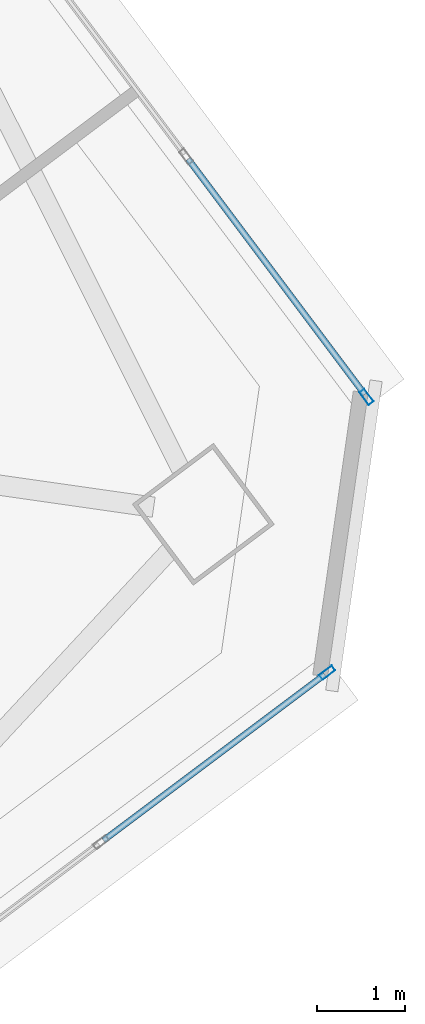
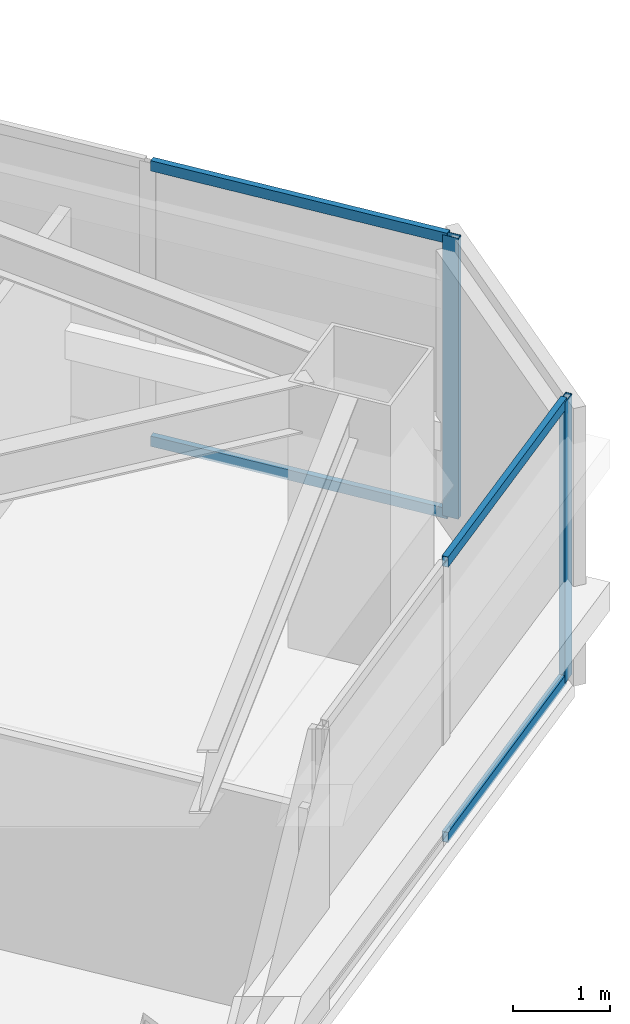
# One storey, part 27 of 43: 6 members, 2 elements without a shape of their own.
"""IFC4 building model written with IfcOpenShell, lengths in metres."""

from ifc_helpers import new_model, si_unit, direction, frame, origin, origin_2d, place, context, subcontext, project, spatial, hollow_rectangle, extrude, material, material_profile, profile_set, type_object, element, aggregate, save


model = new_model("IFC4")

# Units and contexts
model_context = context("Model", 3, precision=1e-05, world=origin(), true_north=direction((0.0, 1.0)))
body_context = subcontext(model_context, "Body", "Model", "MODEL_VIEW")
ifc_project = project(units=[si_unit("LENGTHUNIT", "METRE"), si_unit("AREAUNIT", "SQUARE_METRE"), si_unit("VOLUMEUNIT", "CUBIC_METRE"), si_unit("PLANEANGLEUNIT", "RADIAN"), si_unit("MASSUNIT", "GRAM", prefix="KILO")], contexts=[model_context])

# Site, building, storey
site_placement = place(None, origin())
site = spatial("IfcSite", under=ifc_project, at=site_placement, CompositionType="ELEMENT")
building_placement = place(site_placement, origin())
building = spatial("IfcBuilding", under=site, at=building_placement, Name="Tashvorn Skyway Center", CompositionType="ELEMENT")
storey_placement = place(building_placement, frame((0.0, 0.0, 185.39990234375)))
storey = spatial("IfcBuildingStorey", under=building, at=storey_placement, Name="L50", CompositionType="ELEMENT", Elevation=185.39990234375)

# Curtain wall, member
ifc_material = material(Name="Thermally broken bronze-anodized aluminium 6063-T6", Category="aluminium")
curtain_wall_type = type_object("IfcCurtainWallType", Name="CW-CW-Z4", PredefinedType="NOTDEFINED", material=ifc_material)
curtain_wall_1_placement = place(storey_placement, origin())
curtain_wall_1 = element("IfcCurtainWall", 1, at=curtain_wall_1_placement, inside=storey, type_object=curtain_wall_type, Name="Tower 2 L50 South Unitised Curtain Wall Glazing Group 1", PredefinedType="NOTDEFINED")
ifc_material_profile_1 = material_profile(ifc_material, hollow_rectangle(XDim=0.070068359375, YDim=0.179931640625, WallThickness=0.00390625, at=origin_2d()), Name="ALU-MULL-70x180")
ifc_profile_set_1 = profile_set([ifc_material_profile_1], Name="Thermally broken bronze-anodized aluminium 6063-T6")
member_type_1 = type_object("IfcMemberType", Name="CWM-CW-Z4", PredefinedType="MULLION", material=ifc_profile_set_1)
member_1_placement = place(storey_placement, frame((135.7041015625, 27.302978515625, 0.0), z_axis=(0.0, 0.0, 1.0), x_axis=(0.600000000002, -0.799999999998, 0.0)))
member_1 = element("IfcMember", 2, at=member_1_placement, type_object=member_type_1, Name="CW-Z4 mullion 1", PredefinedType="MULLION", context=body_context, shape_type="SweptSolid", body=[
    extrude(hollow_rectangle(XDim=0.070068359375, YDim=0.179931640625, WallThickness=0.00390625, at=origin_2d()), origin(), (0.0, 0.0, 1.0), 3.550048828125),
])

curtain_wall_2_placement = place(storey_placement, origin())
curtain_wall_2 = element("IfcCurtainWall", 3, at=curtain_wall_2_placement, inside=storey, type_object=curtain_wall_type, Name="Tower 2 L50 East Curtain Wall R Glazing Group 1", PredefinedType="NOTDEFINED")
member_2_placement = place(storey_placement, frame((136.15087890625, 30.431884765625, 0.0), z_axis=(0.0, 0.0, 1.0), x_axis=(0.79999825749, 0.60000232334, 0.0)))
member_2 = element("IfcMember", 4, at=member_2_placement, type_object=member_type_1, Name="CW-Z4 mullion 3", PredefinedType="MULLION", context=body_context, shape_type="SweptSolid", body=[
    extrude(hollow_rectangle(XDim=0.070068359375, YDim=0.179931640625, WallThickness=0.00390625, at=origin_2d()), origin(), (0.0, 0.0, 1.0), 3.550048828125),
])

# Member
ifc_material_profile_2 = material_profile(ifc_material, hollow_rectangle(XDim=0.070068359375, YDim=0.1298828125, WallThickness=0.00390625, at=origin_2d()), Name="ALU-TRAN-70x130")
ifc_profile_set_2 = profile_set([ifc_material_profile_2], Name="Thermally broken bronze-anodized aluminium 6063-T6")
member_type_2 = type_object("IfcMemberType", Name="CWT-CW-Z4", PredefinedType="USERDEFINED", material=ifc_profile_set_2)
member_3_placement = place(storey_placement, frame((135.676025390625, 27.281982421875, 0.03515625), z_axis=(-0.799990655127, -0.600012459628, 0.0), x_axis=(0.600012459628, -0.799990655127, 0.0)))
member_3 = element("IfcMember", 5, at=member_3_placement, type_object=member_type_2, Name="CW-Z4 transom 1.1", ObjectType="TRANSOM", PredefinedType="USERDEFINED", context=body_context, shape_type="SweptSolid", body=[
    extrude(hollow_rectangle(XDim=0.070068359375, YDim=0.1298828125, WallThickness=0.00390625, at=origin_2d()), origin(), (0.0, 0.0, 1.0), 3.135009765625),
])

member_4_placement = place(storey_placement, frame((135.676025390625, 27.281982421875, 3.51513671875), z_axis=(-0.799990655127, -0.600012459628, 0.0), x_axis=(0.600012459628, -0.799990655127, 0.0)))
member_4 = element("IfcMember", 6, at=member_4_placement, type_object=member_type_2, Name="CW-Z4 transom 1.2", ObjectType="TRANSOM", PredefinedType="USERDEFINED", context=body_context, shape_type="SweptSolid", body=[
    extrude(hollow_rectangle(XDim=0.070068359375, YDim=0.1298828125, WallThickness=0.00390625, at=origin_2d()), origin(), (0.0, 0.0, 1.0), 3.135009765625),
])

aggregate(curtain_wall_1, [member_1, member_3, member_4])

member_5_placement = place(storey_placement, frame((134.126953125, 33.130615234375, 0.03515625), z_axis=(0.599988298555, -0.80000877595, 0.0), x_axis=(0.80000877595, 0.599988298555, 0.0)))
member_5 = element("IfcMember", 7, at=member_5_placement, type_object=member_type_2, Name="CW-Z4 transom 2.1", ObjectType="TRANSOM", PredefinedType="USERDEFINED", context=body_context, shape_type="SweptSolid", body=[
    extrude(hollow_rectangle(XDim=0.070068359375, YDim=0.1298828125, WallThickness=0.00390625, at=origin_2d()), origin(), (0.0, 0.0, 1.0), 3.33837890625),
])

member_6_placement = place(storey_placement, frame((134.126953125, 33.130615234375, 3.51513671875), z_axis=(0.599988298555, -0.80000877595, 0.0), x_axis=(0.80000877595, 0.599988298555, 0.0)))
member_6 = element("IfcMember", 8, at=member_6_placement, type_object=member_type_2, Name="CW-Z4 transom 2.2", ObjectType="TRANSOM", PredefinedType="USERDEFINED", context=body_context, shape_type="SweptSolid", body=[
    extrude(hollow_rectangle(XDim=0.070068359375, YDim=0.1298828125, WallThickness=0.00390625, at=origin_2d()), origin(), (0.0, 0.0, 1.0), 3.33837890625),
])

aggregate(curtain_wall_2, [member_2, member_5, member_6])

save(model, "model.ifc")
